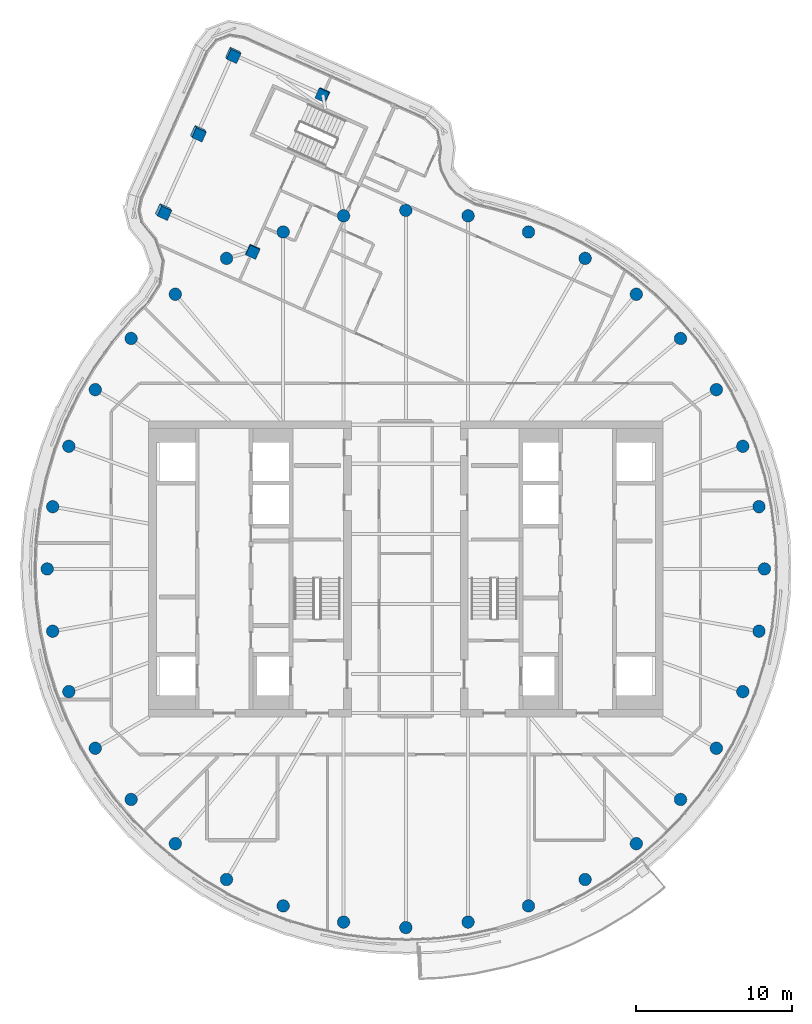
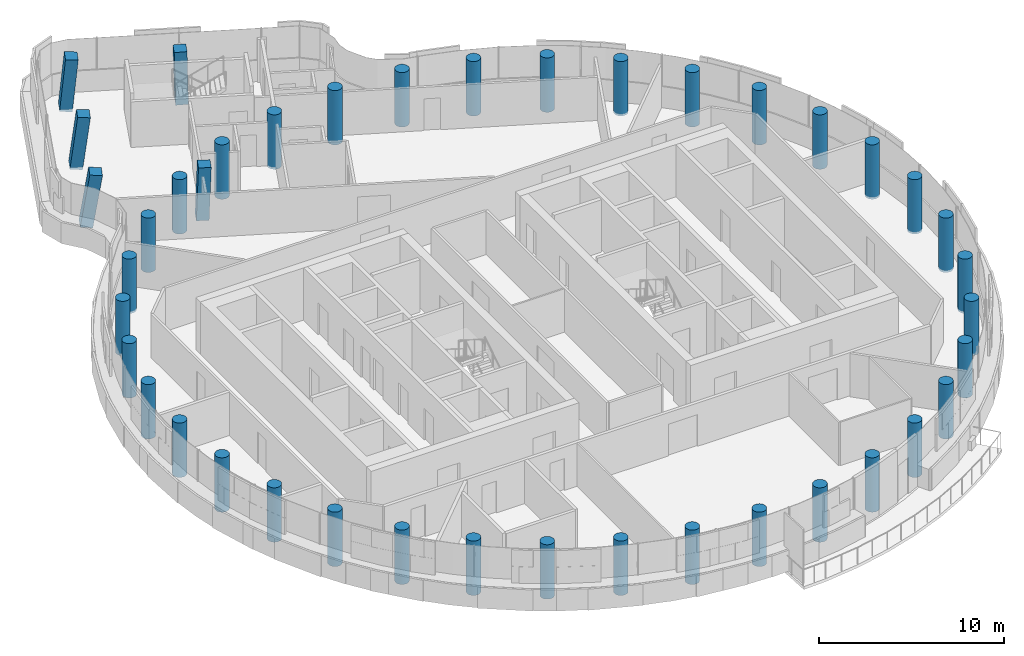
# One storey, part 1 of 21: 41 columns.
"""IFC4 building model written with IfcOpenShell, lengths in metres."""

import ifcopenshell
import ifcopenshell.guid

model = None  # the IFC model being written
_history = None  # IfcOwnerHistory: only IFC2X3 demands one
_inside = {}  # id of a spatial element -> (the spatial element, [elements in it])
_under = {}  # id of a project, library or spatial element -> (it, [spatial elements below it])
_declared = {}  # id of a project -> (the project, [libraries it declares])
_typed = {}  # id of a type object -> (the type object, [elements of that type])
_made_of = {}  # id of a material, layer set ... -> (it, [elements and type objects made of it])


def new_model(schema):
    """Start an empty IFC model of exactly this schema.

    Asked for "IFC4X3", IfcOpenShell would pick the latest addendum, in which some entities
    have other attributes; the version numbers below select the first issue.
    IFC2X3 requires an IfcOwnerHistory on every rooted entity: one is made here for all.
    """
    global model, _history
    if schema == "IFC4X3":
        model = ifcopenshell.file(schema_version=(4, 3, 0, 0))
    else:
        model = ifcopenshell.file(schema=schema)
    _inside.clear()
    _under.clear()
    _declared.clear()
    _typed.clear()
    _made_of.clear()
    _history = None
    if model.schema == "IFC2X3":
        org = make("IfcOrganization", Name="unknown")
        user = make(
            "IfcPersonAndOrganization",
            ThePerson=make("IfcPerson", FamilyName="unknown"),
            TheOrganization=org,
        )
        app = make(
            "IfcApplication",
            ApplicationDeveloper=org,
            Version="unknown",
            ApplicationFullName="unknown",
            ApplicationIdentifier="unknown",
        )
        _history = make(
            "IfcOwnerHistory",
            OwningUser=user,
            OwningApplication=app,
            ChangeAction="ADDED",
            CreationDate=0,
        )
    return model


def make(cls, **values):
    """One entity of the class cls with the attributes given. An attribute that is None is left unset."""
    return model.create_entity(
        cls, **{name: value for name, value in values.items() if value is not None}
    )


def rooted(cls, **values):
    """An entity with a GlobalId (a new one), such as an element, a storey or a relation."""
    return make(cls, GlobalId=ifcopenshell.guid.new(), OwnerHistory=_history, **values)


def si_unit(unit_type, name, prefix=None):
    """IfcSIUnit, for example si_unit("LENGTHUNIT", "METRE", prefix="MILLI")."""
    return make("IfcSIUnit", UnitType=unit_type, Prefix=prefix, Name=name)


def assignment(units):
    """IfcUnitAssignment: the units of a project."""
    return None if units is None else make("IfcUnitAssignment", Units=units)


def point(xyz):
    """IfcCartesianPoint."""
    return None if xyz is None else make("IfcCartesianPoint", Coordinates=xyz)


def direction(xyz):
    """IfcDirection."""
    return None if xyz is None else make("IfcDirection", DirectionRatios=xyz)


def frame(location, z_axis=None, x_axis=None):
    """IfcAxis2Placement3D, a coordinate frame: its origin and axes. An axis left out is left unset."""
    return make(
        "IfcAxis2Placement3D",
        Location=point(location),
        Axis=direction(z_axis),
        RefDirection=direction(x_axis),
    )


def frame_2d(location, x_axis=None):
    """IfcAxis2Placement2D, a coordinate frame in the plane: its origin and x axis."""
    return make(
        "IfcAxis2Placement2D", Location=point(location), RefDirection=direction(x_axis)
    )


def origin():
    """The frame at (0, 0, 0) with its axes left unset."""
    return frame((0.0, 0.0, 0.0))


def origin_2d():
    """The frame at (0, 0) in the plane with its x axis left unset."""
    return frame_2d((0.0, 0.0))


def place(relative_to, where):
    """IfcLocalPlacement: puts the frame where relative to a parent placement (None: the world)."""
    return make(
        "IfcLocalPlacement", PlacementRelTo=relative_to, RelativePlacement=where
    )


def context(
    kind, dimensions, precision=None, world=None, true_north=None, identifier=None
):
    """IfcGeometricRepresentationContext, for example the 3D "Model" context."""
    return make(
        "IfcGeometricRepresentationContext",
        ContextIdentifier=identifier,
        ContextType=kind,
        CoordinateSpaceDimension=dimensions,
        Precision=precision,
        WorldCoordinateSystem=world,
        TrueNorth=true_north,
    )


def subcontext(parent, identifier, kind, view, scale=None):
    """IfcGeometricRepresentationSubContext, for example "Body" below "Model"."""
    return make(
        "IfcGeometricRepresentationSubContext",
        ContextIdentifier=identifier,
        ContextType=kind,
        ParentContext=parent,
        TargetScale=scale,
        TargetView=view,
    )


def project(units=None, contexts=None):
    """IfcProject with its units and contexts."""
    return rooted(
        "IfcProject",
        Name="project",
        RepresentationContexts=contexts,
        UnitsInContext=assignment(units),
    )


def spatial(cls, under=None, at=None, **own):
    """A site, building, storey or space (cls), placed at a placement, below another one or the project."""
    s = rooted(cls, ObjectPlacement=at, **own)
    if under is not None:
        _under.setdefault(under.id(), (under, []))[1].append(s)
    return s


def profile(cls, at=None, kind="AREA", **sizes):
    """A parametric profile (cls). Its sizes go by their IFC names, for example OverallWidth=200.0."""
    return make(cls, ProfileType=kind, Position=at, **sizes)


def rectangle(**sizes):
    """IfcRectangleProfileDef."""
    return profile("IfcRectangleProfileDef", **sizes)


def circle(**sizes):
    """IfcCircleProfileDef."""
    return profile("IfcCircleProfileDef", **sizes)


def extrude(swept, where, along, depth):
    """IfcExtrudedAreaSolid: the profile swept, set in the frame where, extruded along a direction by depth."""
    return make(
        "IfcExtrudedAreaSolid",
        SweptArea=swept,
        Position=where,
        ExtrudedDirection=direction(along),
        Depth=depth,
    )


def shape(context_of_items, identifier, shape_type, items):
    """IfcShapeRepresentation: the items that make up one representation, for example the "Body"."""
    return make(
        "IfcShapeRepresentation",
        ContextOfItems=context_of_items,
        RepresentationIdentifier=identifier,
        RepresentationType=shape_type,
        Items=items,
    )


def material(Name=None, Category=None):
    """IfcMaterial."""
    return make("IfcMaterial", Name=Name, Category=Category)


def material_profile(
    of_material, cross_section, Name=None, Category=None, Priority=None
):
    """IfcMaterialProfile: a cross section and its material."""
    return make(
        "IfcMaterialProfile",
        Name=Name,
        Material=of_material,
        Profile=cross_section,
        Priority=Priority,
        Category=Category,
    )


def profile_set(profiles, Name=None, composite=None):
    """IfcMaterialProfileSet."""
    return make(
        "IfcMaterialProfileSet",
        Name=Name,
        MaterialProfiles=profiles,
        CompositeProfile=composite,
    )


def made_of(thing, what):
    """Note that an element or type object is made of a material, layer set ...; save() writes the relation."""
    if what is not None:
        _made_of.setdefault(what.id(), (what, []))[1].append(thing)
    return thing


def type_object(cls, material=None, **own):
    """A type object (cls), such as IfcWallType, which elements share."""
    return made_of(rooted(cls, **own), material)


def element(
    cls,
    number,
    at=None,
    inside=None,
    cuts=None,
    type_object=None,
    material=None,
    context=None,
    identifier="Body",
    shape_type=None,
    held_by="IfcProductDefinitionShape",
    body=None,
    shapes=None,
    **own,
):
    """One element of the class cls, such as IfcWall. Its Tag is "e" and its number.

    at: its placement. inside: the storey or other place that contains it. cuts: it is an
    opening in that element (IfcRelVoidsElement). A single representation is given by context,
    identifier, shape_type and body (its items); several are given by shapes. held_by: the class
    of the entity that holds the representations. save() writes the other relations.
    """
    e = rooted(cls, Tag="e%d" % number, ObjectPlacement=at, **own)
    if body is not None:
        shapes = [shape(context, identifier, shape_type, body)]
    if shapes is not None:
        e.Representation = make(held_by, Representations=shapes)
    if inside is not None:
        _inside.setdefault(inside.id(), (inside, []))[1].append(e)
    if cuts is not None:
        rooted(
            "IfcRelVoidsElement", RelatingBuildingElement=cuts, RelatedOpeningElement=e
        )
    if type_object is not None:
        _typed.setdefault(type_object.id(), (type_object, []))[1].append(e)
    return made_of(e, material)


def aggregate(whole, parts):
    """IfcRelAggregates: a whole, such as a stair, and the parts it consists of."""
    return rooted("IfcRelAggregates", RelatingObject=whole, RelatedObjects=parts)


def save(model, path):
    """Write the relations noted so far, then the file.

    IfcRelAggregates (storeys below a building ...), IfcRelContainedInSpatialStructure (elements
    in a storey), IfcRelDefinesByType, IfcRelAssociatesMaterial and IfcRelDeclares: one each for
    every whole, place, type object, material and project.
    """
    for whole, parts in _under.values():
        aggregate(whole, parts)
    for where, things in _inside.values():
        rooted(
            "IfcRelContainedInSpatialStructure",
            RelatedElements=things,
            RelatingStructure=where,
        )
    for kind, things in _typed.values():
        rooted("IfcRelDefinesByType", RelatedObjects=things, RelatingType=kind)
    for what, things in _made_of.values():
        rooted("IfcRelAssociatesMaterial", RelatedObjects=things, RelatingMaterial=what)
    for by, libraries in _declared.values():
        rooted("IfcRelDeclares", RelatingContext=by, RelatedDefinitions=libraries)
    model.write(path)


model = new_model("IFC4")

# Units and contexts
model_context = context("Model", 3, precision=1e-05, world=origin(), true_north=direction((0.0, 1.0)))
body_context = subcontext(model_context, "Body", "Model", "MODEL_VIEW")
ifc_project = project(units=[si_unit("LENGTHUNIT", "METRE"), si_unit("AREAUNIT", "SQUARE_METRE"), si_unit("VOLUMEUNIT", "CUBIC_METRE"), si_unit("PLANEANGLEUNIT", "RADIAN"), si_unit("MASSUNIT", "GRAM", prefix="KILO")], contexts=[model_context])

# Site, building, storey
site_placement = place(None, origin())
site = spatial("IfcSite", under=ifc_project, at=site_placement, CompositionType="ELEMENT")
building_placement = place(site_placement, origin())
building = spatial("IfcBuilding", under=site, at=building_placement, Name="Tamarind Cross Interchange Tower", CompositionType="ELEMENT")
storey_placement = place(building_placement, frame((0.0, 0.0, 271.199951171875)))
storey = spatial("IfcBuildingStorey", under=building, at=storey_placement, Name="L69", CompositionType="ELEMENT", Elevation=271.199951171875)

# Columns
ifc_material = material(Name="Concrete C45", Category="concrete")
ifc_material_profile_1 = material_profile(ifc_material, rectangle(XDim=0.699951171875, YDim=0.699951171875, at=origin_2d()), Name="RC 700x700")
ifc_profile_set_1 = profile_set([ifc_material_profile_1], Name="Concrete C45")
column_type_1 = type_object("IfcColumnType", Name="Column RC 700x700 Concrete C45", PredefinedType="COLUMN", material=ifc_profile_set_1)
for number, where, z_axis, x_axis, name in (
    (1, (-9.824462890625, 20.3818359375, -0.138671875), (0.008608000025, -0.049614614315, 0.998731341444), (0.410264887892, 0.91101157612, 0.041720857344), "Column L69-045"),
    (2, (-5.3193359375, 30.4169921875, -0.138671875), (-0.042362099657, -0.027315081859, 0.998728861511), (0.911695427936, -0.409948142036, 0.027458469034), "Column L69-046"),
):
    element("IfcColumn", number, at=place(storey_placement, frame(where, z_axis=z_axis, x_axis=x_axis)), inside=storey, type_object=column_type_1, Name=name, PredefinedType="COLUMN", context=body_context, shape_type="SweptSolid", body=[
        extrude(rectangle(XDim=0.699951171875, YDim=0.699951171875, at=origin_2d()), origin(), (0.0, 0.0, 1.0), 3.60205078125),
    ])
column_1_placement = place(storey_placement, frame((-11.095703125, 33.010009765625, -0.1376953125), z_axis=(0.046174421393, -0.099504527974, 0.993965176312), x_axis=(0.411077832129, 0.908762073749, 0.071878433818)))
element("IfcColumn", 3, at=column_1_placement, inside=storey, type_object=column_type_1, Name="Column L69-047", PredefinedType="COLUMN", context=body_context, shape_type="SweptSolid", body=[
    extrude(rectangle(XDim=0.699951171875, YDim=0.699951171875, at=origin_2d()), origin(), (0.0, 0.0, 1.0), 3.616455078125),
])
column_2_placement = place(storey_placement, frame((-13.348388671875, 27.992431640625, -0.1376953125), z_axis=(0.071366945556, -0.110349456383, 0.991327270157), x_axis=(0.411950669216, 0.90839963591, 0.071461511402)))
element("IfcColumn", 4, at=column_2_placement, inside=storey, type_object=column_type_1, Name="Column L69-048", PredefinedType="COLUMN", context=body_context, shape_type="SweptSolid", body=[
    extrude(rectangle(XDim=0.699951171875, YDim=0.699951171875, at=origin_2d()), origin(), (0.0, 0.0, 1.0), 3.626220703125),
])
column_3_placement = place(storey_placement, frame((-15.600830078125, 22.974853515625, -0.1376953125), z_axis=(0.096287081646, -0.121046616926, 0.987965846798), x_axis=(0.413174316945, 0.907882535997, 0.070966785529)))
element("IfcColumn", 5, at=column_3_placement, inside=storey, type_object=column_type_1, Name="Column L69-049", PredefinedType="COLUMN", context=body_context, shape_type="SweptSolid", body=[
    extrude(rectangle(XDim=0.699951171875, YDim=0.699951171875, at=origin_2d()), origin(), (0.0, 0.0, 1.0), 3.638427734375),
])
ifc_material_profile_2 = material_profile(ifc_material, circle(Radius=0.39990234375, at=origin_2d()), Name="RC D800")
ifc_profile_set_2 = profile_set([ifc_material_profile_2], Name="Concrete C45")
column_type_2 = type_object("IfcColumnType", Name="Column RC D800 Concrete C45", PredefinedType="COLUMN", material=ifc_profile_set_2)
for number, where, z_axis, x_axis, name in (
    (6, (23.0, 0.0, -0.139892578125), (0.0, 0.0, 1.0), (1.0, 0.0, 0.0), "Column L69-000"),
    (7, (22.650634765625, 3.993896484375, -0.139892578125), (0.0, 0.0, 1.0), (1.0, 0.0, 0.0), "Column L69-001"),
    (8, (21.613037109375, 7.866455078125, -0.139892578125), (0.0, 0.0, 1.0), (1.0, 0.0, 0.0), "Column L69-002"),
    (9, (19.918701171875, 11.5, -0.139892578125), (0.0, 0.0, 1.0), (1.0, 0.0, 0.0), "Column L69-003"),
    (10, (17.619140625, 14.7841796875, -0.139892578125), (0.0, 0.0, 1.0), (1.0, 0.0, 0.0), "Column L69-004"),
    (11, (14.7841796875, 17.619140625, -0.139892578125), (0.0, 0.0, 1.0), (1.0, 0.0, 0.0), "Column L69-005"),
    (12, (11.5, 19.918701171875, -0.139892578125), (0.0, 0.0, 1.0), (1.0, 0.0, 0.0), "Column L69-006"),
    (13, (7.866455078125, 21.613037109375, -0.139892578125), (0.0, 0.0, 1.0), (1.0, 0.0, 0.0), "Column L69-007"),
    (14, (3.993896484375, 22.650634765625, -0.139892578125), (0.0, 0.0, 1.0), (1.0, 0.0, 0.0), "Column L69-008"),
    (15, (0.0, 23.0, -0.139892578125), (0.0, 0.0, 1.0), (1.0, 0.0, 0.0), "Column L69-009"),
    (16, (-3.993896484375, 22.650634765625, -0.139892578125), (0.0, 0.0, 1.0), (1.0, 0.0, 0.0), "Column L69-010"),
    (17, (-7.866455078125, 21.613037109375, -0.139892578125), (0.0, 0.0, 1.0), (1.0, 0.0, 0.0), "Column L69-011"),
    (18, (-11.5, 19.918701171875, -0.139892578125), (0.0, 0.0, 1.0), (1.0, 0.0, 0.0), "Column L69-012"),
    (19, (-14.7841796875, 17.619140625, -0.139892578125), (0.0, 0.0, 1.0), (1.0, 0.0, 0.0), "Column L69-013"),
    (20, (-17.619140625, 14.7841796875, -0.139892578125), (0.0, 0.0, 1.0), (1.0, 0.0, 0.0), "Column L69-014"),
    (21, (-19.918701171875, 11.5, -0.139892578125), (0.0, 0.0, 1.0), (1.0, 0.0, 0.0), "Column L69-015"),
    (22, (-21.613037109375, 7.866455078125, -0.139892578125), (0.0, 0.0, 1.0), (1.0, 0.0, 0.0), "Column L69-016"),
    (23, (-22.650634765625, 3.993896484375, -0.139892578125), (0.0, 0.0, 1.0), (1.0, 0.0, 0.0), "Column L69-017"),
    (24, (-23.0, 0.0, -0.139892578125), (0.0, 0.0, 1.0), (1.0, 0.0, 0.0), "Column L69-018"),
    (25, (-22.650634765625, -3.993896484375, -0.139892578125), (0.0, 0.0, 1.0), (1.0, 0.0, 0.0), "Column L69-019"),
    (26, (-21.613037109375, -7.866455078125, -0.139892578125), (0.0, 0.0, 1.0), (1.0, 0.0, 0.0), "Column L69-020"),
    (27, (-19.918701171875, -11.5, -0.139892578125), (0.0, 0.0, 1.0), (1.0, 0.0, 0.0), "Column L69-021"),
    (28, (-17.619140625, -14.7841796875, -0.139892578125), (0.0, 0.0, 1.0), (1.0, 0.0, 0.0), "Column L69-022"),
    (29, (-14.7841796875, -17.619140625, -0.139892578125), (0.0, 0.0, 1.0), (1.0, 0.0, 0.0), "Column L69-023"),
    (30, (-11.5, -19.918701171875, -0.139892578125), (0.0, 0.0, 1.0), (1.0, 0.0, 0.0), "Column L69-024"),
    (31, (-7.866455078125, -21.613037109375, -0.139892578125), (0.0, 0.0, 1.0), (1.0, 0.0, 0.0), "Column L69-025"),
    (32, (-3.993896484375, -22.650634765625, -0.139892578125), (0.0, 0.0, 1.0), (1.0, 0.0, 0.0), "Column L69-026"),
    (33, (0.0, -23.0, -0.139892578125), (0.0, 0.0, 1.0), (1.0, 0.0, 0.0), "Column L69-027"),
    (34, (3.993896484375, -22.650634765625, -0.139892578125), (0.0, 0.0, 1.0), (1.0, 0.0, 0.0), "Column L69-028"),
    (35, (7.866455078125, -21.613037109375, -0.139892578125), (0.0, 0.0, 1.0), (1.0, 0.0, 0.0), "Column L69-029"),
    (36, (11.5, -19.918701171875, -0.139892578125), (0.0, 0.0, 1.0), (1.0, 0.0, 0.0), "Column L69-030"),
    (37, (14.7841796875, -17.619140625, -0.139892578125), (0.0, 0.0, 1.0), (1.0, 0.0, 0.0), "Column L69-031"),
    (38, (17.619140625, -14.7841796875, -0.139892578125), (0.0, 0.0, 1.0), (1.0, 0.0, 0.0), "Column L69-032"),
    (39, (19.918701171875, -11.5, -0.139892578125), (0.0, 0.0, 1.0), (1.0, 0.0, 0.0), "Column L69-033"),
    (40, (21.613037109375, -7.866455078125, -0.139892578125), (0.0, 0.0, 1.0), (1.0, 0.0, 0.0), "Column L69-034"),
    (41, (22.650634765625, -3.993896484375, -0.139892578125), (0.0, 0.0, 1.0), (1.0, 0.0, 0.0), "Column L69-035"),
):
    element("IfcColumn", number, at=place(storey_placement, frame(where, z_axis=z_axis, x_axis=x_axis)), inside=storey, type_object=column_type_2, Name=name, PredefinedType="COLUMN", context=body_context, shape_type="SweptSolid", body=[
        extrude(circle(Radius=0.39990234375, at=origin_2d()), origin(), (0.0, 0.0, 1.0), 3.599853515625),
    ])

save(model, "model.ifc")
